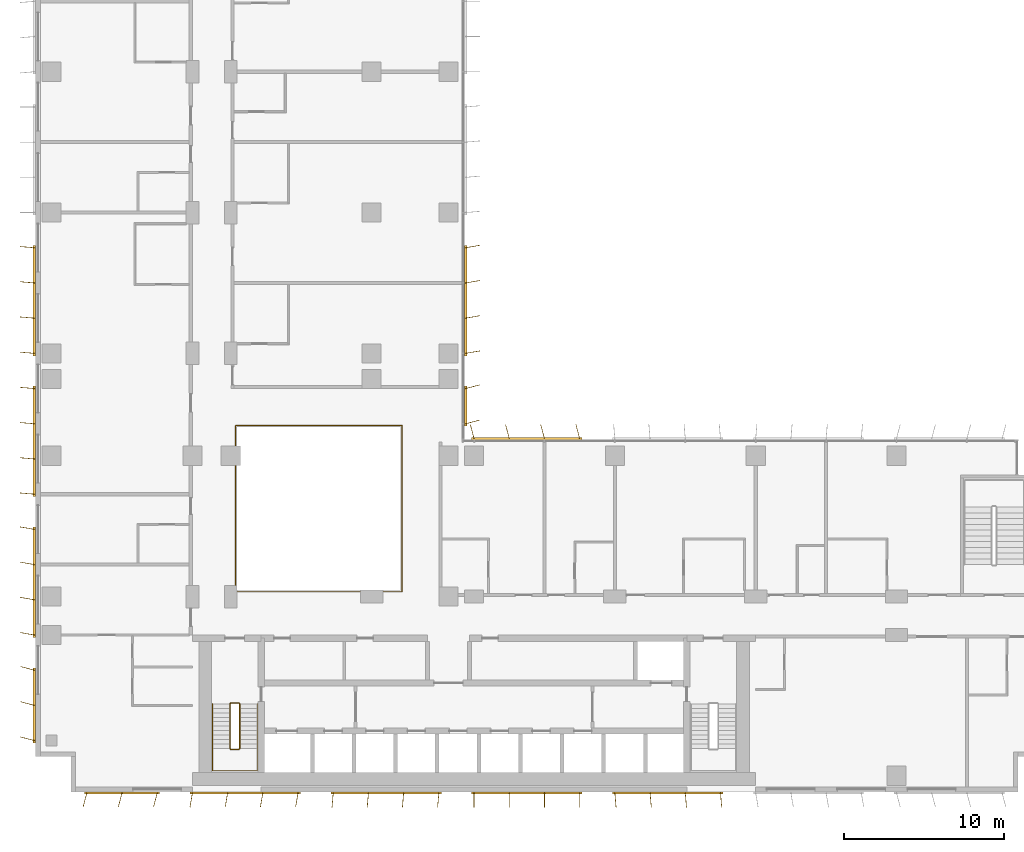
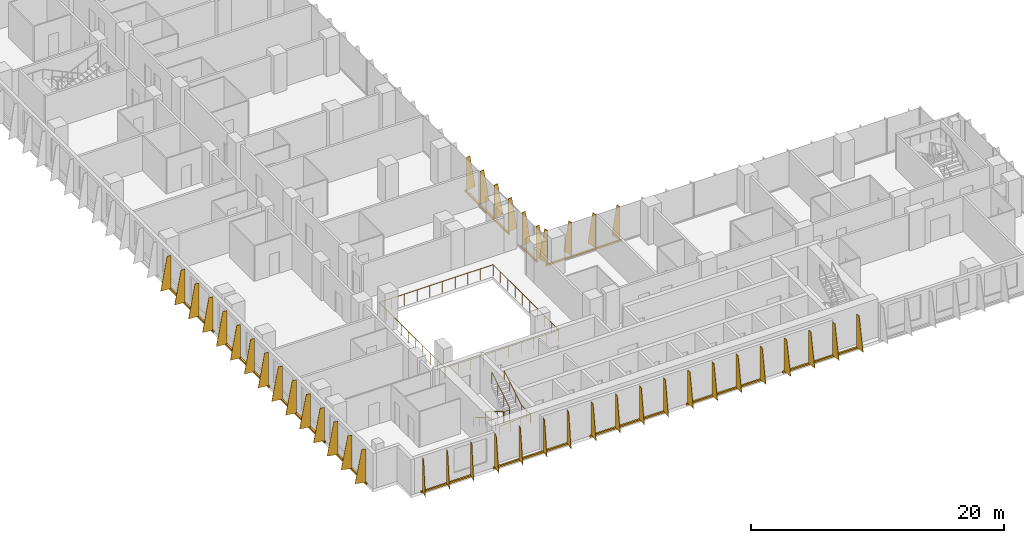
# One storey, part 19 of 22: 12 shading devices, 3 railings.
"""IFC4 building model written with IfcOpenShell, lengths in metres."""

from ifc_helpers import new_model, si_unit, direction, frame, origin, origin_2d, place, context, subcontext, project, spatial, polyline, rectangle, circle, outline, extrude, source, transform, mapped, material, layer, layer_set, type_object, element, save


model = new_model("IFC4")

# Units and contexts
model_context = context("Model", 3, precision=1e-05, world=origin(), true_north=direction((0.0, 1.0)))
body_context = subcontext(model_context, "Body", "Model", "MODEL_VIEW")
ifc_project = project(units=[si_unit("LENGTHUNIT", "METRE"), si_unit("AREAUNIT", "SQUARE_METRE"), si_unit("VOLUMEUNIT", "CUBIC_METRE"), si_unit("PLANEANGLEUNIT", "RADIAN"), si_unit("MASSUNIT", "GRAM", prefix="KILO")], contexts=[model_context])

# Site, building, storey
site_placement = place(None, origin())
site = spatial("IfcSite", under=ifc_project, at=site_placement, CompositionType="ELEMENT")
building_placement = place(site_placement, origin())
building = spatial("IfcBuilding", under=site, at=building_placement, Name="Kemantara Hotel Tower", CompositionType="ELEMENT")
storey_placement = place(building_placement, frame((0.0, 0.0, 90.800048828125)))
storey = spatial("IfcBuildingStorey", under=building, at=storey_placement, Name="L21", CompositionType="ELEMENT", Elevation=90.800048828125)

# Railings
ifc_material_1 = material(Name="Stainless steel and laminated glass balustrade", Category="steel")
railing_type_1 = type_object("IfcRailingType", Name="ATRIUM GUARD 1100", PredefinedType="GUARDRAIL", material=ifc_material_1)
railing_1_placement = place(storey_placement, frame((12.56005859375, 12.5, 0.0)))
element("IfcRailing", 1, at=railing_1_placement, inside=storey, type_object=railing_type_1, Name="ATRIUM GUARD L21", PredefinedType="GUARDRAIL", context=body_context, shape_type="SweptSolid", body=[
    extrude(circle(Radius=0.02490234375, at=origin_2d()), frame((0.0, 0.0, 1.0751953125), z_axis=(1.0, 0.0, 0.0), x_axis=(0.0, 1.0, 0.0)), (0.0, 0.0, 1.0), 10.33984375),
    extrude(circle(Radius=0.02490234375, at=origin_2d()), frame((10.33984375, 0.0, 1.0751953125), z_axis=(0.0, 1.0, 0.0), x_axis=(-1.0, 0.0, 0.0)), (0.0, 0.0, 1.0), 10.39990234375),
    extrude(circle(Radius=0.02490234375, at=origin_2d()), frame((10.33984375, 10.39990234375, 1.0751953125), z_axis=(-1.0, 0.0, 0.0), x_axis=(0.0, -1.0, 0.0)), (0.0, 0.0, 1.0), 10.39990234375),
    extrude(circle(Radius=0.02490234375, at=origin_2d()), frame((-0.06005859375, 10.39990234375, 1.0751953125), z_axis=(0.0, -1.0, 0.0), x_axis=(1.0, 0.0, 0.0)), (0.0, 0.0, 1.0), 10.39990234375),
    extrude(circle(Radius=0.02001953125, at=origin_2d()), origin(), (0.0, 0.0, 1.0), 1.050048828125),
    extrude(circle(Radius=0.02001953125, at=origin_2d()), frame((1.14892578125, 0.0, 0.0)), (0.0, 0.0, 1.0), 1.050048828125),
    extrude(circle(Radius=0.02001953125, at=origin_2d()), frame((2.2978515625, 0.0, 0.0)), (0.0, 0.0, 1.0), 1.050048828125),
    extrude(circle(Radius=0.02001953125, at=origin_2d()), frame((3.446533203125, 0.0, 0.0)), (0.0, 0.0, 1.0), 1.050048828125),
    extrude(circle(Radius=0.02001953125, at=origin_2d()), frame((4.595458984375, 0.0, 0.0)), (0.0, 0.0, 1.0), 1.050048828125),
    extrude(circle(Radius=0.02001953125, at=origin_2d()), frame((5.744384765625, 0.0, 0.0)), (0.0, 0.0, 1.0), 1.050048828125),
    extrude(circle(Radius=0.02001953125, at=origin_2d()), frame((6.893310546875, 0.0, 0.0)), (0.0, 0.0, 1.0), 1.050048828125),
    extrude(circle(Radius=0.02001953125, at=origin_2d()), frame((8.0419921875, 0.0, 0.0)), (0.0, 0.0, 1.0), 1.050048828125),
    extrude(circle(Radius=0.02001953125, at=origin_2d()), frame((9.19091796875, 0.0, 0.0)), (0.0, 0.0, 1.0), 1.050048828125),
    extrude(circle(Radius=0.02001953125, at=origin_2d()), frame((10.33984375, 0.0, 0.0)), (0.0, 0.0, 1.0), 1.050048828125),
    extrude(circle(Radius=0.02001953125, at=origin_2d()), frame((10.33984375, 1.155517578125, 0.0)), (0.0, 0.0, 1.0), 1.050048828125),
    extrude(circle(Radius=0.02001953125, at=origin_2d()), frame((10.33984375, 2.31103515625, 0.0)), (0.0, 0.0, 1.0), 1.050048828125),
    extrude(circle(Radius=0.02001953125, at=origin_2d()), frame((10.33984375, 3.466552734375, 0.0)), (0.0, 0.0, 1.0), 1.050048828125),
    extrude(circle(Radius=0.02001953125, at=origin_2d()), frame((10.33984375, 4.6220703125, 0.0)), (0.0, 0.0, 1.0), 1.050048828125),
    extrude(circle(Radius=0.02001953125, at=origin_2d()), frame((10.33984375, 5.77783203125, 0.0)), (0.0, 0.0, 1.0), 1.050048828125),
    extrude(circle(Radius=0.02001953125, at=origin_2d()), frame((10.33984375, 6.933349609375, 0.0)), (0.0, 0.0, 1.0), 1.050048828125),
    extrude(circle(Radius=0.02001953125, at=origin_2d()), frame((10.33984375, 8.0888671875, 0.0)), (0.0, 0.0, 1.0), 1.050048828125),
    extrude(circle(Radius=0.02001953125, at=origin_2d()), frame((10.33984375, 9.244384765625, 0.0)), (0.0, 0.0, 1.0), 1.050048828125),
    extrude(circle(Radius=0.02001953125, at=origin_2d()), frame((10.33984375, 10.39990234375, 0.0)), (0.0, 0.0, 1.0), 1.050048828125),
    extrude(circle(Radius=0.02001953125, at=origin_2d()), frame((9.184326171875, 10.39990234375, 0.0)), (0.0, 0.0, 1.0), 1.050048828125),
    extrude(circle(Radius=0.02001953125, at=origin_2d()), frame((8.02880859375, 10.39990234375, 0.0)), (0.0, 0.0, 1.0), 1.050048828125),
    extrude(circle(Radius=0.02001953125, at=origin_2d()), frame((6.873291015625, 10.39990234375, 0.0)), (0.0, 0.0, 1.0), 1.050048828125),
    extrude(circle(Radius=0.02001953125, at=origin_2d()), frame((5.7177734375, 10.39990234375, 0.0)), (0.0, 0.0, 1.0), 1.050048828125),
    extrude(circle(Radius=0.02001953125, at=origin_2d()), frame((4.56201171875, 10.39990234375, 0.0)), (0.0, 0.0, 1.0), 1.050048828125),
    extrude(circle(Radius=0.02001953125, at=origin_2d()), frame((3.406494140625, 10.39990234375, 0.0)), (0.0, 0.0, 1.0), 1.050048828125),
    extrude(circle(Radius=0.02001953125, at=origin_2d()), frame((2.2509765625, 10.39990234375, 0.0)), (0.0, 0.0, 1.0), 1.050048828125),
    extrude(circle(Radius=0.02001953125, at=origin_2d()), frame((1.095458984375, 10.39990234375, 0.0)), (0.0, 0.0, 1.0), 1.050048828125),
    extrude(circle(Radius=0.02001953125, at=origin_2d()), frame((-0.06005859375, 10.39990234375, 0.0)), (0.0, 0.0, 1.0), 1.050048828125),
    extrude(circle(Radius=0.02001953125, at=origin_2d()), frame((-0.06005859375, 9.244384765625, 0.0)), (0.0, 0.0, 1.0), 1.050048828125),
    extrude(circle(Radius=0.02001953125, at=origin_2d()), frame((-0.06005859375, 8.0888671875, 0.0)), (0.0, 0.0, 1.0), 1.050048828125),
    extrude(circle(Radius=0.02001953125, at=origin_2d()), frame((-0.06005859375, 6.933349609375, 0.0)), (0.0, 0.0, 1.0), 1.050048828125),
    extrude(circle(Radius=0.02001953125, at=origin_2d()), frame((-0.06005859375, 5.77783203125, 0.0)), (0.0, 0.0, 1.0), 1.050048828125),
    extrude(circle(Radius=0.02001953125, at=origin_2d()), frame((-0.06005859375, 4.6220703125, 0.0)), (0.0, 0.0, 1.0), 1.050048828125),
    extrude(circle(Radius=0.02001953125, at=origin_2d()), frame((-0.06005859375, 3.466552734375, 0.0)), (0.0, 0.0, 1.0), 1.050048828125),
    extrude(circle(Radius=0.02001953125, at=origin_2d()), frame((-0.06005859375, 2.31103515625, 0.0)), (0.0, 0.0, 1.0), 1.050048828125),
    extrude(circle(Radius=0.02001953125, at=origin_2d()), frame((-0.06005859375, 1.155517578125, 0.0)), (0.0, 0.0, 1.0), 1.050048828125),
    extrude(circle(Radius=0.02001953125, at=origin_2d()), frame((-0.06005859375, 0.0, 0.0)), (0.0, 0.0, 1.0), 1.050048828125),
])
ifc_material_2 = material(Name="Stainless steel balustrade", Category="steel")
railing_type_2 = type_object("IfcRailingType", Name="Stair guard 1100 mm", PredefinedType="GUARDRAIL", material=ifc_material_2)
railing_2_placement = place(storey_placement, frame((12.75, 5.5, 3.699951171875)))
element("IfcRailing", 2, at=railing_2_placement, inside=storey, type_object=railing_type_2, Name="L21 ST1 stair guard 1", PredefinedType="GUARDRAIL", context=body_context, shape_type="SweptSolid", body=[
    extrude(circle(Radius=0.02392578125, at=origin_2d()), frame((0.0, 0.0, 1.076171875), z_axis=(0.0, -0.857242210791, -0.514913383045), x_axis=(1.0, 0.0, 0.0)), (0.0, 0.0, 1.0), 3.266357421875),
    extrude(circle(Radius=0.02392578125, at=origin_2d()), frame((0.0, -2.800048828125, -0.60595703125), z_axis=(-0.274243871929, -0.274243871929, -0.92172696468), x_axis=(0.707106781187, -0.707106781187, 0.0)), (0.0, 0.0, 1.0), 0.1826171875),
    extrude(circle(Radius=0.02392578125, at=origin_2d()), frame((-0.050048828125, -2.85009765625, -0.77392578125), z_axis=(-1.0, 0.0, 0.0), x_axis=(0.0, -1.0, 0.0)), (0.0, 0.0, 1.0), 0.5),
    extrude(circle(Radius=0.02392578125, at=origin_2d()), frame((-0.550048828125, -2.85009765625, -0.77392578125), z_axis=(-0.707106781187, 0.707106781187, 0.0), x_axis=(-0.707106781187, -0.707106781187, 0.0)), (0.0, 0.0, 1.0), 0.07080078125),
    extrude(circle(Radius=0.02392578125, at=origin_2d()), frame((-0.60009765625, -2.800048828125, -0.77392578125), z_axis=(0.0, 0.857275202839, -0.514858452973), x_axis=(-1.0, 0.0, 0.0)), (0.0, 0.0, 1.0), 3.26611328125),
    extrude(circle(Radius=0.02392578125, at=origin_2d()), frame((-0.60009765625, 0.0, -2.45556640625), z_axis=(0.274243871929, 0.274243871929, -0.92172696468), x_axis=(-0.707106781187, 0.707106781187, 0.0)), (0.0, 0.0, 1.0), 0.1826171875),
    extrude(circle(Radius=0.02392578125, at=origin_2d()), frame((-0.550048828125, 0.050048828125, -2.6240234375), z_axis=(1.0, 0.0, 0.0), x_axis=(0.0, 1.0, 0.0)), (0.0, 0.0, 1.0), 0.5),
    extrude(circle(Radius=0.02099609375, at=origin_2d()), origin(), (0.0, 0.0, 1.0), 1.052001953125),
    extrude(circle(Radius=0.02099609375, at=origin_2d()), frame((0.0, -0.933349609375, -0.560546875)), (0.0, 0.0, 1.0), 1.052001953125),
    extrude(circle(Radius=0.02099609375, at=origin_2d()), frame((0.0, -1.86669921875, -1.121337890625)), (0.0, 0.0, 1.0), 1.052001953125),
    extrude(circle(Radius=0.02099609375, at=origin_2d()), frame((0.0, -2.800048828125, -1.681884765625)), (0.0, 0.0, 1.0), 1.052001953125),
    extrude(circle(Radius=0.02099609375, at=origin_2d()), frame((-0.050048828125, -2.85009765625, -1.85009765625)), (0.0, 0.0, 1.0), 1.052001953125),
    extrude(circle(Radius=0.02099609375, at=origin_2d()), frame((-0.550048828125, -2.85009765625, -1.85009765625)), (0.0, 0.0, 1.0), 1.052001953125),
    extrude(circle(Radius=0.02099609375, at=origin_2d()), frame((-0.60009765625, -2.800048828125, -1.85009765625)), (0.0, 0.0, 1.0), 1.052001953125),
    extrude(circle(Radius=0.02099609375, at=origin_2d()), frame((-0.60009765625, -1.86669921875, -2.41064453125)), (0.0, 0.0, 1.0), 1.052001953125),
    extrude(circle(Radius=0.02099609375, at=origin_2d()), frame((-0.60009765625, -0.933349609375, -2.97119140625)), (0.0, 0.0, 1.0), 1.052001953125),
    extrude(circle(Radius=0.02099609375, at=origin_2d()), frame((-0.60009765625, 0.0, -3.53173828125)), (0.0, 0.0, 1.0), 1.052001953125),
    extrude(circle(Radius=0.02099609375, at=origin_2d()), frame((-0.550048828125, 0.050048828125, -3.699951171875)), (0.0, 0.0, 1.0), 1.052001953125),
    extrude(circle(Radius=0.02099609375, at=origin_2d()), frame((-0.050048828125, 0.050048828125, -3.699951171875)), (0.0, 0.0, 1.0), 1.052001953125),
])
railing_type_3 = type_object("IfcRailingType", Name="Stair handrail 900 mm", PredefinedType="HANDRAIL", material=ifc_material_2)
railing_3_placement = place(storey_placement, frame((11.050048828125, 5.5, 0.168212890625)))
element("IfcRailing", 3, at=railing_3_placement, inside=storey, type_object=railing_type_3, Name="L21 ST1 stair handrail 1", PredefinedType="HANDRAIL", context=body_context, shape_type="SweptSolid", body=[
    extrude(circle(Radius=0.02392578125, at=origin_2d()), frame((0.0, 0.0, 0.8759765625), z_axis=(0.0, -0.857275202839, 0.514858452973), x_axis=(1.0, 0.0, 0.0)), (0.0, 0.0, 1.0), 3.26611328125),
    extrude(circle(Radius=0.02392578125, at=origin_2d()), frame((0.0, -2.800048828125, 2.5576171875), z_axis=(0.0, -1.0, 0.0), x_axis=(1.0, 0.0, 0.0)), (0.0, 0.0, 1.0), 1.3798828125),
    extrude(circle(Radius=0.02392578125, at=origin_2d()), frame((0.0, -4.179931640625, 2.5576171875), z_axis=(0.998200367801, 0.0, 0.059966871865), x_axis=(0.0, 1.0, 0.0)), (0.0, 0.0, 1.0), 2.80517578125),
    extrude(circle(Radius=0.02392578125, at=origin_2d()), frame((2.800048828125, -4.179931640625, 2.7255859375), z_axis=(0.0, 1.0, 0.0), x_axis=(-1.0, 0.0, 0.0)), (0.0, 0.0, 1.0), 1.3798828125),
    extrude(circle(Radius=0.02392578125, at=origin_2d()), frame((2.800048828125, -2.800048828125, 2.7255859375), z_axis=(0.0, 0.857242210791, 0.514913383045), x_axis=(-1.0, 0.0, 0.0)), (0.0, 0.0, 1.0), 3.266357421875),
    extrude(circle(Radius=0.02099609375, at=origin_2d()), origin(), (0.0, 0.0, 1.0), 0.851806640625),
    extrude(circle(Radius=0.02099609375, at=origin_2d()), frame((0.0, -0.933349609375, 0.560546875)), (0.0, 0.0, 1.0), 0.851806640625),
    extrude(circle(Radius=0.02099609375, at=origin_2d()), frame((0.0, -1.86669921875, 1.12109375)), (0.0, 0.0, 1.0), 0.851806640625),
    extrude(circle(Radius=0.02099609375, at=origin_2d()), frame((0.0, -2.800048828125, 1.681640625)), (0.0, 0.0, 1.0), 0.851806640625),
    extrude(circle(Radius=0.02099609375, at=origin_2d()), frame((0.0, -3.489990234375, 1.681640625)), (0.0, 0.0, 1.0), 0.851806640625),
    extrude(circle(Radius=0.02099609375, at=origin_2d()), frame((0.0, -4.179931640625, 1.681640625)), (0.0, 0.0, 1.0), 0.851806640625),
    extrude(circle(Radius=0.02099609375, at=origin_2d()), frame((0.933349609375, -4.179931640625, 1.73779296875)), (0.0, 0.0, 1.0), 0.851806640625),
    extrude(circle(Radius=0.02099609375, at=origin_2d()), frame((1.86669921875, -4.179931640625, 1.793701171875)), (0.0, 0.0, 1.0), 0.851806640625),
    extrude(circle(Radius=0.02099609375, at=origin_2d()), frame((2.800048828125, -4.179931640625, 1.849853515625)), (0.0, 0.0, 1.0), 0.851806640625),
    extrude(circle(Radius=0.02099609375, at=origin_2d()), frame((2.800048828125, -3.489990234375, 1.849853515625)), (0.0, 0.0, 1.0), 0.851806640625),
    extrude(circle(Radius=0.02099609375, at=origin_2d()), frame((2.800048828125, -2.800048828125, 1.849853515625)), (0.0, 0.0, 1.0), 0.851806640625),
    extrude(circle(Radius=0.02099609375, at=origin_2d()), frame((2.800048828125, -1.86669921875, 2.410400390625)), (0.0, 0.0, 1.0), 0.851806640625),
    extrude(circle(Radius=0.02099609375, at=origin_2d()), frame((2.800048828125, -0.933349609375, 2.97119140625)), (0.0, 0.0, 1.0), 0.851806640625),
    extrude(circle(Radius=0.02099609375, at=origin_2d()), frame((2.800048828125, 0.0, 3.53173828125)), (0.0, 0.0, 1.0), 0.851806640625),
])

# Shading devices
ifc_material_3 = material(Name="Perforated aluminium plate 4 mm bronze anodised", Category="aluminium")
ifc_layer_1 = layer(ifc_material_3, 0.0400390625)
ifc_layer_set_1 = layer_set([ifc_layer_1], Name="Perforated aluminium plate 4 mm bronze anodised")
shading_device_type_1 = type_object("IfcShadingDeviceType", Name="SCREEN FIN CASSETTE, 3 BLADES AT -15.0 DEG, 3200 HIGH", PredefinedType="USERDEFINED", material=ifc_layer_set_1)
shared_shape_1 = source(origin(), body_context, "Body", "SweptSolid", [
    extrude(rectangle(XDim=4.699951171875, YDim=0.14990234375, at=origin_2d()), frame((2.199951171875, -0.074951171875, -0.14990234375), z_axis=(0.0, 0.0, 1.0), x_axis=(1.0, 0.0, 0.0)), (0.0, 0.0, 1.0), 0.14990234375),
    extrude(outline(polyline([(0.0, 0.0), (0.89990234375, 0.0), (0.35009765625, 3.199951171875), (0.0, 3.199951171875), (0.0, 0.0)])), frame((0.019287109375, -0.080078125, 0.0), z_axis=(-0.966437683387, 0.256901156343, 0.0), x_axis=(-0.256901156343, -0.966437683387, 0.0)), (0.0, 0.0, 1.0), 0.039794921875),
    extrude(outline(polyline([(0.0, 0.0), (0.89990234375, 0.0), (0.35009765625, 3.199951171875), (0.0, 3.199951171875), (0.0, 0.0)])), frame((2.21923828125, -0.080078125, 0.0), z_axis=(-0.966437683387, 0.256901156343, 0.0), x_axis=(-0.256901156343, -0.966437683387, 0.0)), (0.0, 0.0, 1.0), 0.039794921875),
    extrude(outline(polyline([(0.0, 0.0), (0.89990234375, 0.0), (0.35009765625, 3.199951171875), (0.0, 3.199951171875), (0.0, 0.0)])), frame((4.41943359375, -0.080078125, 0.0), z_axis=(-0.966837822169, 0.255391122837, 0.0), x_axis=(-0.255391122837, -0.966837822169, 0.0)), (0.0, 0.0, 1.0), 0.0400390625),
])
for number, where, z_axis, x_axis, name in (
    (4, (0.0, 7.60009765625, 0.099853515625), (0.0, 0.0, 1.0), (0.0, -1.0, 0.0), "SCREEN FIN CASSETTE L21 T2-R04-9"),
    (5, (3.199951171875, 0.0, 0.099853515625), (0.0, 0.0, 1.0), (1.0, 0.0, 0.0), "SCREEN FIN CASSETTE L21 T2-R07-1"),
):
    element("IfcShadingDevice", number, at=place(storey_placement, frame(where, z_axis=z_axis, x_axis=x_axis)), inside=storey, type_object=shading_device_type_1, Name=name, ObjectType="SCREEN FIN", PredefinedType="USERDEFINED", context=body_context, shape_type="MappedRepresentation", body=[
        mapped(shared_shape_1, transform((0.0, 0.0, 0.0))),
    ])
ifc_layer_2 = layer(ifc_material_3, 0.0400390625)
ifc_layer_set_2 = layer_set([ifc_layer_2], Name="Perforated aluminium plate 4 mm bronze anodised")
shading_device_type_2 = type_object("IfcShadingDeviceType", Name="SCREEN FIN CASSETTE, 4 BLADES AT -10.0 DEG, 3200 HIGH", PredefinedType="USERDEFINED", material=ifc_layer_set_2)
shared_shape_2 = source(origin(), body_context, "Body", "SweptSolid", [
    extrude(rectangle(XDim=6.89990234375, YDim=0.14990234375, at=origin_2d()), frame((3.300048828125, -0.074951171875, -0.14990234375), z_axis=(0.0, 0.0, 1.0), x_axis=(1.0, 0.0, 0.0)), (0.0, 0.0, 1.0), 0.14990234375),
    extrude(outline(polyline([(0.0, 0.0), (0.89990234375, 0.0), (0.35009765625, 3.199951171875), (0.0, 3.199951171875), (0.0, 0.0)])), frame((0.019775390625, -0.078369140625, 0.0), z_axis=(-0.985389793052, 0.170314285219, 0.0), x_axis=(-0.170314285219, -0.985389793052, 0.0)), (0.0, 0.0, 1.0), 0.0400390625),
    extrude(outline(polyline([(0.0, 0.0), (0.89990234375, 0.0), (0.35009765625, 3.199951171875), (0.0, 3.199951171875), (0.0, 0.0)])), frame((2.2197265625, -0.078369140625, 0.0), z_axis=(-0.98521175482, 0.171341174751, 0.0), x_axis=(-0.171341174751, -0.98521175482, 0.0)), (0.0, 0.0, 1.0), 0.039794921875),
    extrude(outline(polyline([(0.0, 0.0), (0.89990234375, 0.0), (0.35009765625, 3.199951171875), (0.0, 3.199951171875), (0.0, 0.0)])), frame((4.419677734375, -0.078369140625, 0.0), z_axis=(-0.98521175482, 0.171341174751, 0.0), x_axis=(-0.171341174751, -0.98521175482, 0.0)), (0.0, 0.0, 1.0), 0.039794921875),
    extrude(outline(polyline([(0.0, 0.0), (0.89990234375, 0.0), (0.35009765625, 3.199951171875), (0.0, 3.199951171875), (0.0, 0.0)])), frame((6.61962890625, -0.078369140625, 0.0), z_axis=(-0.98521175482, 0.171341174751, 0.0), x_axis=(-0.171341174751, -0.98521175482, 0.0)), (0.0, 0.0, 1.0), 0.039794921875),
])
for number, where, z_axis, x_axis, name in (
    (6, (0.0, 16.39990234375, 0.099853515625), (0.0, 0.0, 1.0), (0.0, -1.0, 0.0), "SCREEN FIN CASSETTE L21 T2-R04-8"),
    (7, (9.800048828125, 0.0, 0.099853515625), (0.0, 0.0, 1.0), (1.0, 0.0, 0.0), "SCREEN FIN CASSETTE L21 T2-R07-2"),
):
    element("IfcShadingDevice", number, at=place(storey_placement, frame(where, z_axis=z_axis, x_axis=x_axis)), inside=storey, type_object=shading_device_type_2, Name=name, ObjectType="SCREEN FIN", PredefinedType="USERDEFINED", context=body_context, shape_type="MappedRepresentation", body=[
        mapped(shared_shape_2, transform((0.0, 0.0, 0.0))),
    ])
ifc_layer_3 = layer(ifc_material_3, 0.0400390625)
ifc_layer_set_3 = layer_set([ifc_layer_3], Name="Perforated aluminium plate 4 mm bronze anodised")
shading_device_type_3 = type_object("IfcShadingDeviceType", Name="SCREEN FIN CASSETTE, 4 BLADES AT -5.0 DEG, 3200 HIGH", PredefinedType="USERDEFINED", material=ifc_layer_set_3)
shared_shape_3 = source(origin(), body_context, "Body", "SweptSolid", [
    extrude(rectangle(XDim=6.89990234375, YDim=0.14990234375, at=origin_2d()), frame((3.300048828125, -0.074951171875, -0.14990234375), z_axis=(0.0, 0.0, 1.0), x_axis=(1.0, 0.0, 0.0)), (0.0, 0.0, 1.0), 0.14990234375),
    extrude(outline(polyline([(0.0, 0.0), (0.89990234375, 0.0), (0.35009765625, 3.199951171875), (0.0, 3.199951171875), (0.0, 0.0)])), frame((0.02001953125, -0.07666015625, 0.0), z_axis=(-0.996376129781, 0.085056498884, 0.0), x_axis=(-0.085056498884, -0.996376129781, 0.0)), (0.0, 0.0, 1.0), 0.040283203125),
    extrude(outline(polyline([(0.0, 0.0), (0.89990234375, 0.0), (0.35009765625, 3.199951171875), (0.0, 3.199951171875), (0.0, 0.0)])), frame((2.219970703125, -0.07666015625, 0.0), z_axis=(-0.996331773833, 0.085574508182, 0.0), x_axis=(-0.085574508182, -0.996331773833, 0.0)), (0.0, 0.0, 1.0), 0.0400390625),
    extrude(outline(polyline([(0.0, 0.0), (0.89990234375, 0.0), (0.35009765625, 3.199951171875), (0.0, 3.199951171875), (0.0, 0.0)])), frame((4.419921875, -0.07666015625, 0.0), z_axis=(-0.996331773833, 0.085574508182, 0.0), x_axis=(-0.085574508182, -0.996331773833, 0.0)), (0.0, 0.0, 1.0), 0.0400390625),
    extrude(outline(polyline([(0.0, 0.0), (0.89990234375, 0.0), (0.35009765625, 3.199951171875), (0.0, 3.199951171875), (0.0, 0.0)])), frame((6.619873046875, -0.07666015625, 0.0), z_axis=(-0.996331773833, 0.085574508182, 0.0), x_axis=(-0.085574508182, -0.996331773833, 0.0)), (0.0, 0.0, 1.0), 0.0400390625),
])
for number, where, z_axis, x_axis, name in (
    (8, (0.0, 34.0, 0.099853515625), (0.0, 0.0, 1.0), (0.0, -1.0, 0.0), "SCREEN FIN CASSETTE L21 T2-R04-6"),
    (9, (0.0, 25.199951171875, 0.099853515625), (0.0, 0.0, 1.0), (0.0, -1.0, 0.0), "SCREEN FIN CASSETTE L21 T2-R04-7"),
    (10, (18.60009765625, 0.0, 0.099853515625), (0.0, 0.0, 1.0), (1.0, 0.0, 0.0), "SCREEN FIN CASSETTE L21 T2-R07-3"),
):
    element("IfcShadingDevice", number, at=place(storey_placement, frame(where, z_axis=z_axis, x_axis=x_axis)), inside=storey, type_object=shading_device_type_3, Name=name, ObjectType="SCREEN FIN", PredefinedType="USERDEFINED", context=body_context, shape_type="MappedRepresentation", body=[
        mapped(shared_shape_3, transform((0.0, 0.0, 0.0))),
    ])
ifc_layer_4 = layer(ifc_material_3, 0.0400390625)
ifc_layer_set_4 = layer_set([ifc_layer_4], Name="Perforated aluminium plate 4 mm bronze anodised")
shading_device_type_4 = type_object("IfcShadingDeviceType", Name="SCREEN FIN CASSETTE, 4 BLADES AT +0.0 DEG, 3200 HIGH", PredefinedType="USERDEFINED", material=ifc_layer_set_4)
shared_shape_4 = source(origin(), body_context, "Body", "SweptSolid", [
    extrude(rectangle(XDim=6.89990234375, YDim=0.14990234375, at=origin_2d()), frame((3.300048828125, -0.074951171875, -0.14990234375), z_axis=(0.0, 0.0, 1.0), x_axis=(1.0, 0.0, 0.0)), (0.0, 0.0, 1.0), 0.14990234375),
    extrude(outline(polyline([(0.0, 0.0), (0.89990234375, 0.0), (0.35009765625, 3.199951171875), (0.0, 3.199951171875), (0.0, 0.0)])), frame((0.02001953125, -0.074951171875, 0.0), z_axis=(-1.0, 0.0, 0.0), x_axis=(0.0, -1.0, 0.0)), (0.0, 0.0, 1.0), 0.0400390625),
    extrude(outline(polyline([(0.0, 0.0), (0.89990234375, 0.0), (0.35009765625, 3.199951171875), (0.0, 3.199951171875), (0.0, 0.0)])), frame((2.219970703125, -0.074951171875, 0.0), z_axis=(-1.0, 0.0, 0.0), x_axis=(0.0, -1.0, 0.0)), (0.0, 0.0, 1.0), 0.0400390625),
    extrude(outline(polyline([(0.0, 0.0), (0.89990234375, 0.0), (0.35009765625, 3.199951171875), (0.0, 3.199951171875), (0.0, 0.0)])), frame((4.419921875, -0.074951171875, 0.0), z_axis=(-1.0, 0.0, 0.0), x_axis=(0.0, -1.0, 0.0)), (0.0, 0.0, 1.0), 0.0400390625),
    extrude(outline(polyline([(0.0, 0.0), (0.89990234375, 0.0), (0.35009765625, 3.199951171875), (0.0, 3.199951171875), (0.0, 0.0)])), frame((6.6201171875, -0.074951171875, 0.0), z_axis=(-1.0, 0.0, 0.0), x_axis=(0.0, -1.0, 0.0)), (0.0, 0.0, 1.0), 0.0400390625),
])
shading_device_1_placement = place(storey_placement, frame((27.39990234375, 0.0, 0.099853515625), z_axis=(0.0, 0.0, 1.0), x_axis=(1.0, 0.0, 0.0)))
element("IfcShadingDevice", 11, at=shading_device_1_placement, inside=storey, type_object=shading_device_type_4, Name="SCREEN FIN CASSETTE L21 T2-R07-4", ObjectType="SCREEN FIN", PredefinedType="USERDEFINED", context=body_context, shape_type="MappedRepresentation", body=[
    mapped(shared_shape_4, transform((0.0, 0.0, 0.0))),
])
ifc_layer_5 = layer(ifc_material_3, 0.0400390625)
ifc_layer_set_5 = layer_set([ifc_layer_5], Name="Perforated aluminium plate 4 mm bronze anodised")
shading_device_type_5 = type_object("IfcShadingDeviceType", Name="SCREEN FIN CASSETTE, 4 BLADES AT +5.0 DEG, 3200 HIGH", PredefinedType="USERDEFINED", material=ifc_layer_set_5)
shared_shape_5 = source(origin(), body_context, "Body", "SweptSolid", [
    extrude(rectangle(XDim=6.89990234375, YDim=0.14990234375, at=origin_2d()), frame((3.300048828125, -0.074951171875, -0.14990234375), z_axis=(0.0, 0.0, 1.0), x_axis=(1.0, 0.0, 0.0)), (0.0, 0.0, 1.0), 0.14990234375),
    extrude(outline(polyline([(0.0, 0.0), (0.89990234375, 0.0), (0.35009765625, 3.199951171875), (0.0, 3.199951171875), (0.0, 0.0)])), frame((0.02001953125, -0.0732421875, 0.0), z_axis=(-0.996376129781, -0.085056498884, 0.0), x_axis=(0.085056498884, -0.996376129781, 0.0)), (0.0, 0.0, 1.0), 0.040283203125),
    extrude(outline(polyline([(0.0, 0.0), (0.89990234375, 0.0), (0.35009765625, 3.199951171875), (0.0, 3.199951171875), (0.0, 0.0)])), frame((2.219970703125, -0.0732421875, 0.0), z_axis=(-0.996331773833, -0.085574508182, 0.0), x_axis=(0.085574508182, -0.996331773833, 0.0)), (0.0, 0.0, 1.0), 0.0400390625),
    extrude(outline(polyline([(0.0, 0.0), (0.89990234375, 0.0), (0.35009765625, 3.199951171875), (0.0, 3.199951171875), (0.0, 0.0)])), frame((4.419921875, -0.0732421875, 0.0), z_axis=(-0.996331773833, -0.085574508182, 0.0), x_axis=(0.085574508182, -0.996331773833, 0.0)), (0.0, 0.0, 1.0), 0.0400390625),
    extrude(outline(polyline([(0.0, 0.0), (0.89990234375, 0.0), (0.35009765625, 3.199951171875), (0.0, 3.199951171875), (0.0, 0.0)])), frame((6.619873046875, -0.0732421875, 0.0), z_axis=(-0.996331773833, -0.085574508182, 0.0), x_axis=(0.085574508182, -0.996331773833, 0.0)), (0.0, 0.0, 1.0), 0.0400390625),
])
shading_device_2_placement = place(storey_placement, frame((36.199951171875, 0.0, 0.099853515625), z_axis=(0.0, 0.0, 1.0), x_axis=(1.0, 0.0, 0.0)))
element("IfcShadingDevice", 12, at=shading_device_2_placement, inside=storey, type_object=shading_device_type_5, Name="SCREEN FIN CASSETTE L21 T2-R07-5", ObjectType="SCREEN FIN", PredefinedType="USERDEFINED", context=body_context, shape_type="MappedRepresentation", body=[
    mapped(shared_shape_5, transform((0.0, 0.0, 0.0))),
])
ifc_layer_6 = layer(ifc_material_3, 0.0400390625)
ifc_layer_set_6 = layer_set([ifc_layer_6], Name="Perforated aluminium plate 4 mm bronze anodised")
shading_device_type_6 = type_object("IfcShadingDeviceType", Name="SCREEN FIN CASSETTE, 4 BLADES AT +10.0 DEG, 3200 HIGH", PredefinedType="USERDEFINED", material=ifc_layer_set_6)
shared_shape_6 = source(origin(), body_context, "Body", "SweptSolid", [
    extrude(rectangle(XDim=6.89990234375, YDim=0.14990234375, at=origin_2d()), frame((3.300048828125, -0.074951171875, -0.14990234375), z_axis=(0.0, 0.0, 1.0), x_axis=(1.0, 0.0, 0.0)), (0.0, 0.0, 1.0), 0.14990234375),
    extrude(outline(polyline([(0.0, 0.0), (0.89990234375, 0.0), (0.35009765625, 3.199951171875), (0.0, 3.199951171875), (0.0, 0.0)])), frame((0.019775390625, -0.071533203125, 0.0), z_axis=(-0.985389793052, -0.170314285219, 0.0), x_axis=(0.170314285219, -0.985389793052, 0.0)), (0.0, 0.0, 1.0), 0.0400390625),
    extrude(outline(polyline([(0.0, 0.0), (0.89990234375, 0.0), (0.35009765625, 3.199951171875), (0.0, 3.199951171875), (0.0, 0.0)])), frame((2.2197265625, -0.071533203125, 0.0), z_axis=(-0.98521175482, -0.171341174751, 0.0), x_axis=(0.171341174751, -0.98521175482, 0.0)), (0.0, 0.0, 1.0), 0.039794921875),
    extrude(outline(polyline([(0.0, 0.0), (0.89990234375, 0.0), (0.35009765625, 3.199951171875), (0.0, 3.199951171875), (0.0, 0.0)])), frame((4.419677734375, -0.071533203125, 0.0), z_axis=(-0.98521175482, -0.171341174751, 0.0), x_axis=(0.171341174751, -0.98521175482, 0.0)), (0.0, 0.0, 1.0), 0.039794921875),
    extrude(outline(polyline([(0.0, 0.0), (0.89990234375, 0.0), (0.35009765625, 3.199951171875), (0.0, 3.199951171875), (0.0, 0.0)])), frame((6.61962890625, -0.071533203125, 0.0), z_axis=(-0.98521175482, -0.171341174751, 0.0), x_axis=(0.171341174751, -0.98521175482, 0.0)), (0.0, 0.0, 1.0), 0.039794921875),
])
shading_device_3_placement = place(storey_placement, frame((26.800048828125, 27.39990234375, 0.099853515625), z_axis=(0.0, 0.0, 1.0), x_axis=(0.0, 1.0, 0.0)))
element("IfcShadingDevice", 13, at=shading_device_3_placement, inside=storey, type_object=shading_device_type_6, Name="SCREEN FIN CASSETTE L21 T2-R14-2", ObjectType="SCREEN FIN", PredefinedType="USERDEFINED", context=body_context, shape_type="MappedRepresentation", body=[
    mapped(shared_shape_6, transform((0.0, 0.0, 0.0))),
])
ifc_layer_7 = layer(ifc_material_3, 0.0400390625)
ifc_layer_set_7 = layer_set([ifc_layer_7], Name="Perforated aluminium plate 4 mm bronze anodised")
shading_device_type_7 = type_object("IfcShadingDeviceType", Name="SCREEN FIN CASSETTE, 4 BLADES AT +15.0 DEG, 3200 HIGH", PredefinedType="USERDEFINED", material=ifc_layer_set_7)
shared_shape_7 = source(origin(), body_context, "Body", "SweptSolid", [
    extrude(rectangle(XDim=6.89990234375, YDim=0.14990234375, at=origin_2d()), frame((3.300048828125, -0.074951171875, -0.14990234375), z_axis=(0.0, 0.0, 1.0), x_axis=(1.0, 0.0, 0.0)), (0.0, 0.0, 1.0), 0.14990234375),
    extrude(outline(polyline([(0.0, 0.0), (0.89990234375, 0.0), (0.35009765625, 3.199951171875), (0.0, 3.199951171875), (0.0, 0.0)])), frame((0.019287109375, -0.06982421875, 0.0), z_axis=(-0.966437683387, -0.256901156343, 0.0), x_axis=(0.256901156343, -0.966437683387, 0.0)), (0.0, 0.0, 1.0), 0.039794921875),
    extrude(outline(polyline([(0.0, 0.0), (0.89990234375, 0.0), (0.35009765625, 3.199951171875), (0.0, 3.199951171875), (0.0, 0.0)])), frame((2.21923828125, -0.06982421875, 0.0), z_axis=(-0.966437683387, -0.256901156343, 0.0), x_axis=(0.256901156343, -0.966437683387, 0.0)), (0.0, 0.0, 1.0), 0.039794921875),
    extrude(outline(polyline([(0.0, 0.0), (0.89990234375, 0.0), (0.35009765625, 3.199951171875), (0.0, 3.199951171875), (0.0, 0.0)])), frame((4.41943359375, -0.06982421875, 0.0), z_axis=(-0.966837822169, -0.255391122837, 0.0), x_axis=(0.255391122837, -0.966837822169, 0.0)), (0.0, 0.0, 1.0), 0.0400390625),
    extrude(outline(polyline([(0.0, 0.0), (0.89990234375, 0.0), (0.35009765625, 3.199951171875), (0.0, 3.199951171875), (0.0, 0.0)])), frame((6.619384765625, -0.06982421875, 0.0), z_axis=(-0.966837822169, -0.255391122837, 0.0), x_axis=(0.255391122837, -0.966837822169, 0.0)), (0.0, 0.0, 1.0), 0.0400390625),
])
shading_device_4_placement = place(storey_placement, frame((34.0, 22.0, 0.099853515625), z_axis=(0.0, 0.0, 1.0), x_axis=(-1.0, 0.0, 0.0)))
element("IfcShadingDevice", 14, at=shading_device_4_placement, inside=storey, type_object=shading_device_type_7, Name="SCREEN FIN CASSETTE L21 T2-R13-4", ObjectType="SCREEN FIN", PredefinedType="USERDEFINED", context=body_context, shape_type="MappedRepresentation", body=[
    mapped(shared_shape_7, transform((0.0, 0.0, 0.0))),
])
ifc_layer_8 = layer(ifc_material_3, 0.0400390625)
ifc_layer_set_8 = layer_set([ifc_layer_8], Name="Perforated aluminium plate 4 mm bronze anodised")
shading_device_type_8 = type_object("IfcShadingDeviceType", Name="SCREEN FIN CASSETTE, 2 BLADES AT +15.0 DEG, 3200 HIGH", PredefinedType="USERDEFINED", material=ifc_layer_set_8)
shared_shape_8 = source(origin(), body_context, "Body", "SweptSolid", [
    extrude(rectangle(XDim=2.5, YDim=0.14990234375, at=origin_2d()), frame((1.10009765625, -0.074951171875, -0.14990234375), z_axis=(0.0, 0.0, 1.0), x_axis=(1.0, 0.0, 0.0)), (0.0, 0.0, 1.0), 0.14990234375),
    extrude(outline(polyline([(0.0, 0.0), (0.89990234375, 0.0), (0.35009765625, 3.199951171875), (0.0, 3.199951171875), (0.0, 0.0)])), frame((0.019287109375, -0.06982421875, 0.0), z_axis=(-0.966437683387, -0.256901156343, 0.0), x_axis=(0.256901156343, -0.966437683387, 0.0)), (0.0, 0.0, 1.0), 0.039794921875),
    extrude(outline(polyline([(0.0, 0.0), (0.89990234375, 0.0), (0.35009765625, 3.199951171875), (0.0, 3.199951171875), (0.0, 0.0)])), frame((2.21923828125, -0.06982421875, 0.0), z_axis=(-0.966437683387, -0.256901156343, 0.0), x_axis=(0.256901156343, -0.966437683387, 0.0)), (0.0, 0.0, 1.0), 0.039794921875),
])
shading_device_5_placement = place(storey_placement, frame((26.800048828125, 23.0, 0.099853515625), z_axis=(0.0, 0.0, 1.0), x_axis=(0.0, 1.0, 0.0)))
element("IfcShadingDevice", 15, at=shading_device_5_placement, inside=storey, type_object=shading_device_type_8, Name="SCREEN FIN CASSETTE L21 T2-R14-1", ObjectType="SCREEN FIN", PredefinedType="USERDEFINED", context=body_context, shape_type="MappedRepresentation", body=[
    mapped(shared_shape_8, transform((0.0, 0.0, 0.0))),
])

save(model, "model.ifc")
